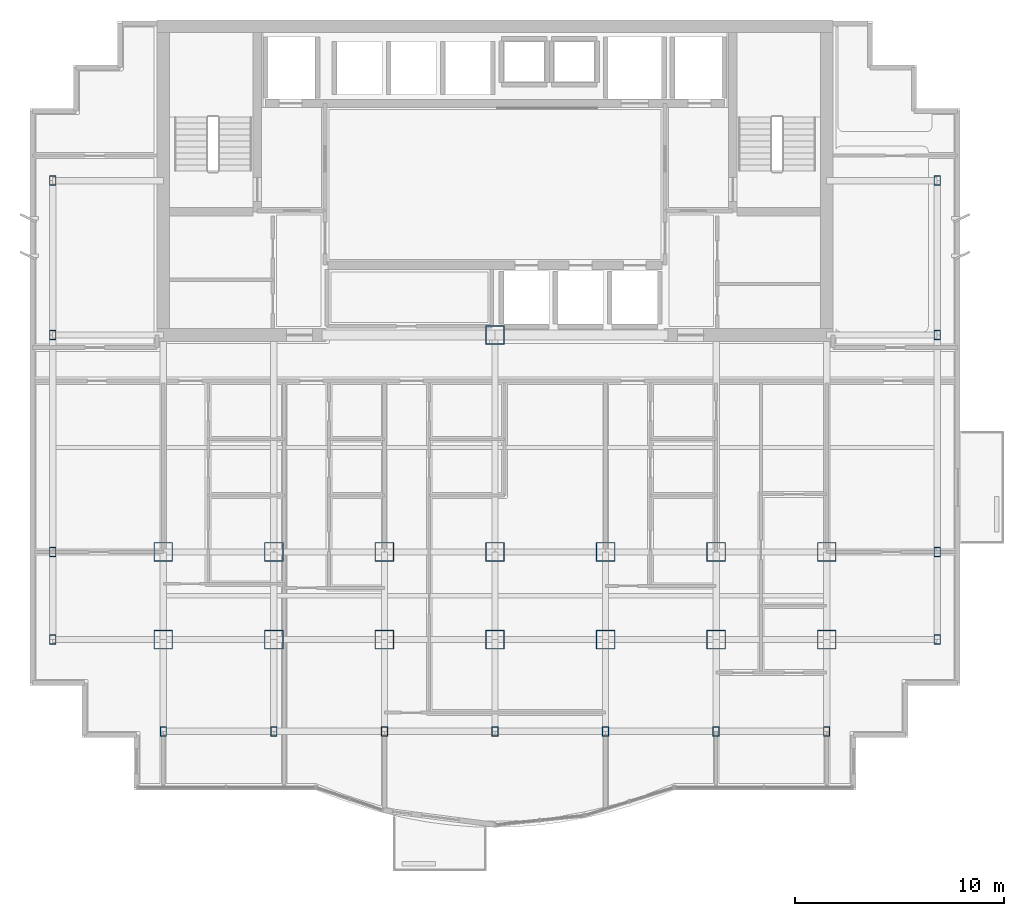
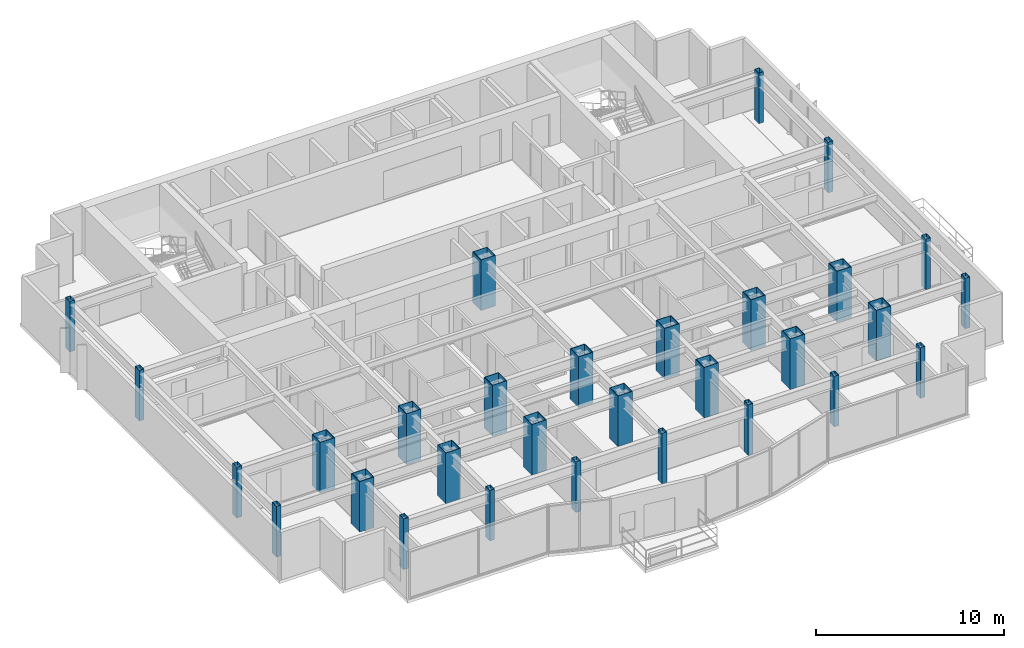
# One storey, part 1 of 11: 30 columns.
"""IFC4 building model written with IfcOpenShell, lengths in metres."""

from ifc_helpers import new_model, si_unit, direction, frame, origin, origin_2d, place, context, subcontext, project, spatial, hollow_rectangle, extrude, material, material_profile, profile_set, type_object, element, save


model = new_model("IFC4")

# Units and contexts
model_context = context("Model", 3, precision=1e-05, world=origin(), true_north=direction((0.0, 1.0)))
body_context = subcontext(model_context, "Body", "Model", "MODEL_VIEW")
ifc_project = project(units=[si_unit("LENGTHUNIT", "METRE"), si_unit("AREAUNIT", "SQUARE_METRE"), si_unit("VOLUMEUNIT", "CUBIC_METRE"), si_unit("PLANEANGLEUNIT", "RADIAN"), si_unit("MASSUNIT", "GRAM", prefix="KILO")], contexts=[model_context])

# Site, building, storey
site_placement = place(None, origin())
site = spatial("IfcSite", under=ifc_project, at=site_placement, CompositionType="ELEMENT")
building_placement = place(site_placement, origin())
building = spatial("IfcBuilding", under=site, at=building_placement, Name="Qianlan Lanfeng Residences", CompositionType="ELEMENT")
storey_placement = place(building_placement, frame((0.0, 0.0, 145.800048828125)))
storey = spatial("IfcBuildingStorey", under=building, at=storey_placement, Name="L39", CompositionType="ELEMENT", Elevation=145.800048828125)

# Columns
ifc_material = material(Name="Steel SN490B", Category="steel")
ifc_material_profile_1 = material_profile(ifc_material, hollow_rectangle(XDim=0.89990234375, YDim=0.89990234375, WallThickness=0.031982421875, at=origin_2d()), Name="BOX 900x900x32")
ifc_profile_set_1 = profile_set([ifc_material_profile_1], Name="Steel SN490B")
column_type_1 = type_object("IfcColumnType", Name="C-B1000", PredefinedType="COLUMN", material=ifc_profile_set_1)
for number, where, z_axis, x_axis, name in (
    (1, (26.5, 25.199951171875, 0.0), (0.0, 0.0, 1.0), (1.0, 0.0, 0.0), "L39 Structural Column CP_26.5_25.2"),
    (2, (10.60009765625, 14.800048828125, 0.0), (0.0, 0.0, 1.0), (1.0, 0.0, 0.0), "L39 Structural Column M_10.60_14.80"),
    (3, (10.60009765625, 10.60009765625, 0.0), (0.0, 0.0, 1.0), (1.0, 0.0, 0.0), "L39 Structural Column G_10.60_10.60"),
    (4, (15.89990234375, 14.800048828125, 0.0), (0.0, 0.0, 1.0), (1.0, 0.0, 0.0), "L39 Structural Column M_15.90_14.80"),
    (5, (15.89990234375, 10.60009765625, 0.0), (0.0, 0.0, 1.0), (1.0, 0.0, 0.0), "L39 Structural Column G_15.90_10.60"),
    (6, (21.199951171875, 14.800048828125, 0.0), (0.0, 0.0, 1.0), (1.0, 0.0, 0.0), "L39 Structural Column M_21.20_14.80"),
    (7, (21.199951171875, 10.60009765625, 0.0), (0.0, 0.0, 1.0), (1.0, 0.0, 0.0), "L39 Structural Column G_21.20_10.60"),
    (8, (26.5, 14.800048828125, 0.0), (0.0, 0.0, 1.0), (1.0, 0.0, 0.0), "L39 Structural Column M_26.50_14.80"),
    (9, (26.5, 10.60009765625, 0.0), (0.0, 0.0, 1.0), (1.0, 0.0, 0.0), "L39 Structural Column G_26.50_10.60"),
    (10, (31.800048828125, 14.800048828125, 0.0), (0.0, 0.0, 1.0), (1.0, 0.0, 0.0), "L39 Structural Column M_31.80_14.80"),
    (11, (31.800048828125, 10.60009765625, 0.0), (0.0, 0.0, 1.0), (1.0, 0.0, 0.0), "L39 Structural Column G_31.80_10.60"),
    (12, (37.10009765625, 14.800048828125, 0.0), (0.0, 0.0, 1.0), (1.0, 0.0, 0.0), "L39 Structural Column M_37.10_14.80"),
    (13, (37.10009765625, 10.60009765625, 0.0), (0.0, 0.0, 1.0), (1.0, 0.0, 0.0), "L39 Structural Column G_37.10_10.60"),
    (14, (42.39990234375, 14.800048828125, 0.0), (0.0, 0.0, 1.0), (1.0, 0.0, 0.0), "L39 Structural Column M_42.40_14.80"),
    (15, (42.39990234375, 10.60009765625, 0.0), (0.0, 0.0, 1.0), (1.0, 0.0, 0.0), "L39 Structural Column G_42.40_10.60"),
):
    element("IfcColumn", number, at=place(storey_placement, frame(where, z_axis=z_axis, x_axis=x_axis)), inside=storey, type_object=column_type_1, Name=name, PredefinedType="COLUMN", context=body_context, shape_type="SweptSolid", body=[
        extrude(hollow_rectangle(XDim=0.89990234375, YDim=0.89990234375, WallThickness=0.031982421875, at=origin_2d()), origin(), (0.0, 0.0, 1.0), 3.300048828125),
    ])
ifc_material_profile_2 = material_profile(ifc_material, hollow_rectangle(XDim=0.300048828125, YDim=0.449951171875, WallThickness=0.01611328125, at=origin_2d()), Name="RHS 450x300x16")
ifc_profile_set_2 = profile_set([ifc_material_profile_2], Name="Steel SN490B")
column_type_2 = type_object("IfcColumnType", Name="CE-B950", PredefinedType="COLUMN", material=ifc_profile_set_2)
for number, where, z_axis, x_axis, name in (
    (16, (10.60009765625, 6.199951171875, 0.0), (0.0, 0.0, 1.0), (1.0, 0.0, 0.0), "L39 Structural Column S_10.60_6.20"),
    (17, (15.89990234375, 6.199951171875, 0.0), (0.0, 0.0, 1.0), (1.0, 0.0, 0.0), "L39 Structural Column S_15.90_6.20"),
    (18, (21.199951171875, 6.199951171875, 0.0), (0.0, 0.0, 1.0), (1.0, 0.0, 0.0), "L39 Structural Column S_21.20_6.20"),
    (19, (26.5, 6.199951171875, 0.0), (0.0, 0.0, 1.0), (1.0, 0.0, 0.0), "L39 Structural Column S_26.50_6.20"),
    (20, (31.800048828125, 6.199951171875, 0.0), (0.0, 0.0, 1.0), (1.0, 0.0, 0.0), "L39 Structural Column S_31.80_6.20"),
    (21, (37.10009765625, 6.199951171875, 0.0), (0.0, 0.0, 1.0), (1.0, 0.0, 0.0), "L39 Structural Column S_37.10_6.20"),
    (22, (42.39990234375, 6.199951171875, 0.0), (0.0, 0.0, 1.0), (1.0, 0.0, 0.0), "L39 Structural Column S_42.40_6.20"),
    (23, (5.300048828125, 10.60009765625, 0.0), (0.0, 0.0, 1.0), (1.0, 0.0, 0.0), "L39 Structural Column W_5.30_10.60"),
    (24, (5.300048828125, 14.800048828125, 0.0), (0.0, 0.0, 1.0), (1.0, 0.0, 0.0), "L39 Structural Column W_5.30_14.80"),
    (25, (5.300048828125, 25.199951171875, 0.0), (0.0, 0.0, 1.0), (1.0, 0.0, 0.0), "L39 Structural Column W_5.30_25.20"),
    (26, (5.300048828125, 32.60009765625, 0.0), (0.0, 0.0, 1.0), (1.0, 0.0, 0.0), "L39 Structural Column W_5.30_32.60"),
    (27, (47.699951171875, 10.60009765625, 0.0), (0.0, 0.0, 1.0), (1.0, 0.0, 0.0), "L39 Structural Column W_47.70_10.60"),
    (28, (47.699951171875, 14.800048828125, 0.0), (0.0, 0.0, 1.0), (1.0, 0.0, 0.0), "L39 Structural Column W_47.70_14.80"),
    (29, (47.699951171875, 25.199951171875, 0.0), (0.0, 0.0, 1.0), (1.0, 0.0, 0.0), "L39 Structural Column W_47.70_25.20"),
    (30, (47.699951171875, 32.60009765625, 0.0), (0.0, 0.0, 1.0), (1.0, 0.0, 0.0), "L39 Structural Column W_47.70_32.60"),
):
    element("IfcColumn", number, at=place(storey_placement, frame(where, z_axis=z_axis, x_axis=x_axis)), inside=storey, type_object=column_type_2, Name=name, PredefinedType="COLUMN", context=body_context, shape_type="SweptSolid", body=[
        extrude(hollow_rectangle(XDim=0.300048828125, YDim=0.449951171875, WallThickness=0.01611328125, at=origin_2d()), origin(), (0.0, 0.0, 1.0), 3.300048828125),
    ])

save(model, "model.ifc")
